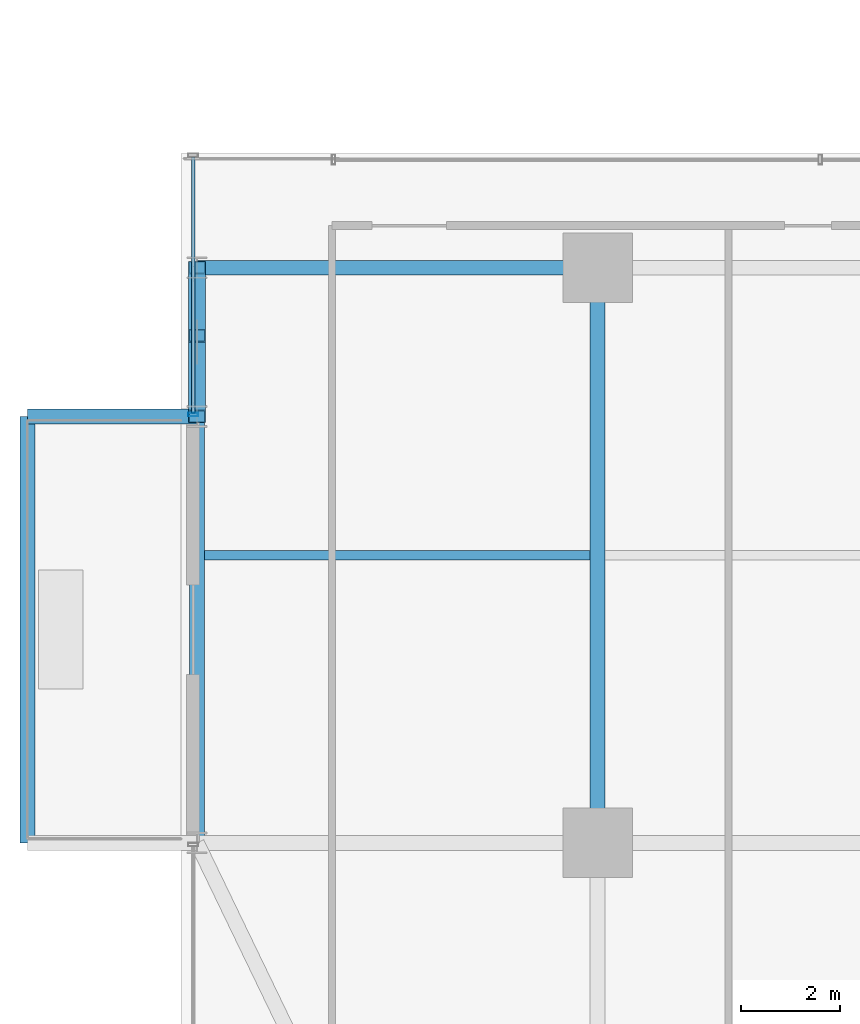
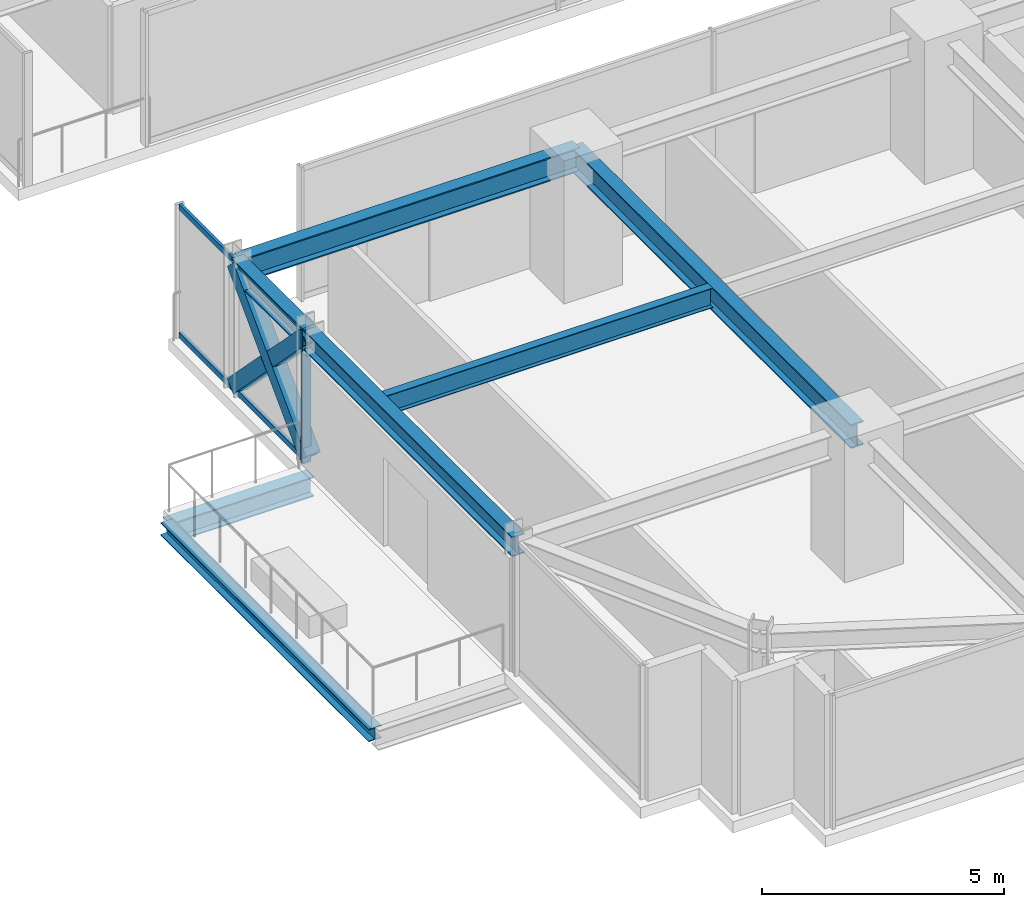
# One storey, part 7 of 37: 7 beams, 6 members, 1 element without a shape of its own.
"""IFC4 building model written with IfcOpenShell, lengths in metres."""

from ifc_helpers import new_model, si_unit, direction, frame, origin, origin_2d, place, context, subcontext, project, spatial, hollow_rectangle, i_section, extrude, source, transform, mapped, material, material_profile, profile_set, type_object, element, aggregate, save


model = new_model("IFC4")

# Units and contexts
model_context = context("Model", 3, precision=1e-05, world=origin(), true_north=direction((0.0, 1.0)))
body_context = subcontext(model_context, "Body", "Model", "MODEL_VIEW")
ifc_project = project(units=[si_unit("LENGTHUNIT", "METRE"), si_unit("AREAUNIT", "SQUARE_METRE"), si_unit("VOLUMEUNIT", "CUBIC_METRE"), si_unit("PLANEANGLEUNIT", "RADIAN"), si_unit("MASSUNIT", "GRAM", prefix="KILO")], contexts=[model_context])

# Site, building, storey
site_placement = place(None, origin())
site = spatial("IfcSite", under=ifc_project, at=site_placement, CompositionType="ELEMENT")
building_placement = place(site_placement, origin())
building = spatial("IfcBuilding", under=site, at=building_placement, Name="Nahalor Promenade Grand Hotel", CompositionType="ELEMENT")
storey_placement = place(building_placement, frame((0.0, 0.0, 65.25)))
storey = spatial("IfcBuildingStorey", under=building, at=storey_placement, Name="L15", CompositionType="ELEMENT", Elevation=65.25)

# Beams
ifc_material_1 = material(Name="Steel S355JR", Category="steel")
ifc_material_profile_1 = material_profile(ifc_material_1, i_section(OverallWidth=0.3, OverallDepth=0.32, WebThickness=0.0115, FlangeThickness=0.0205, at=origin_2d()), Name="HEB 320")
ifc_profile_set_1 = profile_set([ifc_material_profile_1], Name="Steel S355JR")
beam_type_1 = type_object("IfcBeamType", Name="Beam-BalcEdge-HEB320", PredefinedType="SPANDREL", material=ifc_profile_set_1)
shared_shape_1 = source(origin(), body_context, "Body", "SweptSolid", [
    extrude(i_section(OverallWidth=0.3, OverallDepth=0.32, WebThickness=0.0115, FlangeThickness=0.0205, at=origin_2d()), origin(), (0.0, 0.0, 1.0), 8.60009765625),
])
beam_1_placement = place(storey_placement, frame((-28.5, -17.0, -0.43994140625), z_axis=(0.0, 1.0, 0.0), x_axis=(-1.0, 0.0, 0.0)))
element("IfcBeam", 1, at=beam_1_placement, inside=storey, type_object=beam_type_1, Name="BM-L15-BC-02-F", PredefinedType="SPANDREL", context=body_context, shape_type="MappedRepresentation", body=[
    mapped(shared_shape_1, transform((0.0, 0.0, 0.0), scale=1.0)),
])
ifc_material_profile_2 = material_profile(ifc_material_1, i_section(OverallWidth=0.3, OverallDepth=0.5, WebThickness=0.0145, FlangeThickness=0.028, at=origin_2d()), Name="HEB 500")
ifc_profile_set_2 = profile_set([ifc_material_profile_2], Name="Steel S355JR")
beam_type_2 = type_object("IfcBeamType", Name="Beam-Outrigger-HEB500", PredefinedType="BEAM", material=ifc_profile_set_2)
shared_shape_2 = source(origin(), body_context, "Body", "SweptSolid", [
    extrude(i_section(OverallWidth=0.3, OverallDepth=0.5, WebThickness=0.0145, FlangeThickness=0.028, at=origin_2d()), origin(), (0.0, 0.0, 1.0), 3.419921875),
])
beam_2_placement = place(storey_placement, frame((-28.5, -8.39990234375, -0.530029296875), z_axis=(1.0, 0.0, 0.0), x_axis=(0.0, 1.0, 0.0)))
element("IfcBeam", 2, at=beam_2_placement, inside=storey, type_object=beam_type_2, Name="BM-L15-BC-02-2", PredefinedType="BEAM", context=body_context, shape_type="MappedRepresentation", body=[
    mapped(shared_shape_2, transform((0.0, 0.0, 0.0), scale=1.0)),
])
ifc_material_profile_3 = material_profile(ifc_material_1, i_section(OverallWidth=0.3, OverallDepth=0.6, WebThickness=0.0155, FlangeThickness=0.03, at=origin_2d()), Name="HEB 600")
ifc_profile_set_3 = profile_set([ifc_material_profile_3], Name="Steel S355JR")
beam_type_3 = type_object("IfcBeamType", Name="Beam-Girder-HEB600", PredefinedType="BEAM", material=ifc_profile_set_3)
shared_shape_3 = source(origin(), body_context, "Body", "SweptSolid", [
    extrude(i_section(OverallWidth=0.3, OverallDepth=0.6, WebThickness=0.0155, FlangeThickness=0.03, at=origin_2d()), origin(), (0.0, 0.0, 1.0), 11.60009765625),
])
beam_3_placement = place(storey_placement, frame((-17.0, -17.0, 3.070068359375), z_axis=(0.0, 1.0, 0.0), x_axis=(-1.0, 0.0, 0.0)))
element("IfcBeam", 3, at=beam_3_placement, inside=storey, type_object=beam_type_3, Name="BM-L15-GY-0-1", PredefinedType="BEAM", context=body_context, shape_type="MappedRepresentation", body=[
    mapped(shared_shape_3, transform((0.0, 0.0, 0.0), scale=1.0)),
])
ifc_material_profile_4 = material_profile(ifc_material_1, i_section(OverallWidth=0.3, OverallDepth=0.5, WebThickness=0.0145, FlangeThickness=0.028, at=origin_2d()), Name="HEB 500")
ifc_profile_set_4 = profile_set([ifc_material_profile_4], Name="Steel S355JR")
beam_type_4 = type_object("IfcBeamType", Name="Beam-Spandrel-HEB500", PredefinedType="SPANDREL", material=ifc_profile_set_4)
shared_shape_4 = source(origin(), body_context, "Body", "SweptSolid", [
    extrude(i_section(OverallWidth=0.3, OverallDepth=0.5, WebThickness=0.0145, FlangeThickness=0.028, at=origin_2d()), origin(), (0.0, 0.0, 1.0), 8.60009765625),
])
beam_4_placement = place(storey_placement, frame((-25.080078125, -17.0, 3.1201171875), z_axis=(0.0, 1.0, 0.0), x_axis=(-1.0, 0.0, 0.0)))
element("IfcBeam", 4, at=beam_4_placement, inside=storey, type_object=beam_type_4, Name="BM-L15-SP-W-0", PredefinedType="SPANDREL", context=body_context, shape_type="MappedRepresentation", body=[
    mapped(shared_shape_4, transform((0.0, 0.0, 0.0), scale=1.0)),
])
shared_shape_5 = source(origin(), body_context, "Body", "SweptSolid", [
    extrude(i_section(OverallWidth=0.3, OverallDepth=0.5, WebThickness=0.0145, FlangeThickness=0.028, at=origin_2d()), origin(), (0.0, 0.0, 1.0), 3.0),
])
beam_5_placement = place(storey_placement, frame((-25.080078125, -8.39990234375, 3.1201171875), z_axis=(0.0, 1.0, 0.0), x_axis=(-1.0, 0.0, 0.0)))
element("IfcBeam", 5, at=beam_5_placement, inside=storey, type_object=beam_type_4, Name="BM-L15-SP-W-1", PredefinedType="SPANDREL", context=body_context, shape_type="MappedRepresentation", body=[
    mapped(shared_shape_5, transform((0.0, 0.0, 0.0), scale=1.0)),
])
shared_shape_6 = source(origin(), body_context, "Body", "SweptSolid", [
    extrude(i_section(OverallWidth=0.3, OverallDepth=0.6, WebThickness=0.0155, FlangeThickness=0.03, at=origin_2d()), origin(), (0.0, 0.0, 1.0), 8.080078125),
])
beam_6_placement = place(storey_placement, frame((-25.080078125, -5.39990234375, 3.070068359375), z_axis=(1.0, 0.0, 0.0), x_axis=(0.0, 1.0, 0.0)))
element("IfcBeam", 6, at=beam_6_placement, inside=storey, type_object=beam_type_3, Name="BM-L15-GX-1-0", PredefinedType="BEAM", context=body_context, shape_type="MappedRepresentation", body=[
    mapped(shared_shape_6, transform((0.0, 0.0, 0.0), scale=1.0)),
])
ifc_material_profile_5 = material_profile(ifc_material_1, i_section(OverallWidth=0.2, OverallDepth=0.5, WebThickness=0.0102, FlangeThickness=0.016, at=origin_2d()), Name="IPE 500")
ifc_profile_set_5 = profile_set([ifc_material_profile_5], Name="Steel S355JR")
beam_type_5 = type_object("IfcBeamType", Name="Beam-Joist-IPE500", PredefinedType="JOIST", material=ifc_profile_set_5)
shared_shape_7 = source(origin(), body_context, "Body", "SweptSolid", [
    extrude(i_section(OverallWidth=0.2, OverallDepth=0.5, WebThickness=0.0102, FlangeThickness=0.016, at=origin_2d()), origin(), (0.0, 0.0, 1.0), 7.780029296875),
])
beam_7_placement = place(storey_placement, frame((-24.929931640625, -11.199951171875, 3.1201171875), z_axis=(1.0, 0.0, 0.0), x_axis=(0.0, 1.0, 0.0)))
element("IfcBeam", 7, at=beam_7_placement, inside=storey, type_object=beam_type_5, Name="BM-L15-JSW-0-0", PredefinedType="JOIST", context=body_context, shape_type="MappedRepresentation", body=[
    mapped(shared_shape_7, transform((0.0, 0.0, 0.0), scale=1.0)),
])

# Members
ifc_material_profile_6 = material_profile(ifc_material_1, hollow_rectangle(XDim=0.35, YDim=0.35, WallThickness=0.02, at=origin_2d()), Name="SHS 350x350x20")
ifc_profile_set_6 = profile_set([ifc_material_profile_6], Name="Steel S355JR")
member_type_1 = type_object("IfcMemberType", Name="Mem-VoidBrace-SHS350", PredefinedType="BRACE", material=ifc_profile_set_6)
shared_shape_8 = source(origin(), body_context, "Body", "SweptSolid", [
    extrude(hollow_rectangle(XDim=0.35, YDim=0.35, WallThickness=0.02, at=origin_2d()), origin(), (0.0, 0.0, 1.0), 4.29248046875),
])
member_1_placement = place(storey_placement, frame((-25.080078125, -8.39990234375, 0.14990234375), z_axis=(0.0, 0.698897904453, 0.715221447631), x_axis=(-1.0, 0.0, 0.0)))
element("IfcMember", 8, at=member_1_placement, inside=storey, type_object=member_type_1, Name="EXO-L15-VX1-W0", PredefinedType="BRACE", context=body_context, shape_type="MappedRepresentation", body=[
    mapped(shared_shape_8, transform((0.0, 0.0, 0.0), scale=1.0)),
])
shared_shape_9 = source(origin(), body_context, "Body", "SweptSolid", [
    extrude(hollow_rectangle(XDim=0.35, YDim=0.35, WallThickness=0.02, at=origin_2d()), origin(), (0.0, 0.0, 1.0), 1.959228515625),
])
member_2_placement = place(storey_placement, frame((-25.080078125, -5.39990234375, 0.14990234375), z_axis=(0.0, -0.698898183234, 0.715221175212), x_axis=(1.0, 0.0, 0.0)))
element("IfcMember", 9, at=member_2_placement, inside=storey, type_object=member_type_1, Name="EXO-L15-VX2-W0A", PredefinedType="BRACE", context=body_context, shape_type="MappedRepresentation", body=[
    mapped(shared_shape_9, transform((0.0, 0.0, 0.0), scale=1.0)),
])
shared_shape_10 = source(origin(), body_context, "Body", "SweptSolid", [
    extrude(hollow_rectangle(XDim=0.35, YDim=0.35, WallThickness=0.02, at=origin_2d()), origin(), (0.0, 0.0, 1.0), 1.958984375),
])
member_3_placement = place(storey_placement, frame((-25.080078125, -7.03076171875, 1.81884765625), z_axis=(0.0, -0.698896728293, 0.715222596946), x_axis=(1.0, 0.0, 0.0)))
element("IfcMember", 10, at=member_3_placement, inside=storey, type_object=member_type_1, Name="EXO-L15-VX2-W0B", PredefinedType="BRACE", context=body_context, shape_type="MappedRepresentation", body=[
    mapped(shared_shape_10, transform((0.0, 0.0, 0.0), scale=1.0)),
])

# Curtain wall, members
ifc_material_2 = material(Name="Anodised Bronze Aluminium EN AW-6063 T6", Category="aluminium")
curtain_wall_type = type_object("IfcCurtainWallType", Name="CW3 Elliptical-Void Collar Unitised Curtain Wall", PredefinedType="USERDEFINED", material=ifc_material_2)
curtain_wall_placement = place(storey_placement, origin())
curtain_wall = element("IfcCurtainWall", 11, at=curtain_wall_placement, inside=storey, type_object=curtain_wall_type, Name="L15 Curtain Wall CW-L15-W-3", ObjectType="UNITISED_CURTAIN_WALL", PredefinedType="USERDEFINED")
ifc_material_profile_7 = material_profile(ifc_material_2, hollow_rectangle(XDim=0.07, YDim=0.2, WallThickness=0.005, at=origin_2d()), Name="CWM 70x200x5")
ifc_profile_set_7 = profile_set([ifc_material_profile_7], Name="Anodised Bronze Aluminium EN AW-6063 T6")
member_type_2 = type_object("IfcMemberType", Name="CWM3 Void Collar Mullion 70x200", PredefinedType="MULLION", material=ifc_profile_set_7)
shared_shape_11 = source(origin(), body_context, "Body", "SweptSolid", [
    extrude(hollow_rectangle(XDim=0.07, YDim=0.2, WallThickness=0.005, at=origin_2d()), origin(), (0.0, 0.0, 1.0), 3.3701171875),
])
member_4_placement = place(storey_placement, frame((-25.159912109375, -8.364990234375, 0.0), z_axis=(0.0, 0.0, 1.0), x_axis=(0.0, 1.0, 0.0)))
member_4 = element("IfcMember", 12, at=member_4_placement, type_object=member_type_2, Name="CW-L15-W-3 Mullion 0", PredefinedType="MULLION", context=body_context, shape_type="MappedRepresentation", body=[
    mapped(shared_shape_11, transform((0.0, 0.0, 0.0), scale=1.0)),
])
ifc_material_profile_8 = material_profile(ifc_material_2, hollow_rectangle(XDim=0.07, YDim=0.14, WallThickness=0.004, at=origin_2d()), Name="CWT 70x140x4")
ifc_profile_set_8 = profile_set([ifc_material_profile_8], Name="Anodised Bronze Aluminium EN AW-6063 T6")
member_type_3 = type_object("IfcMemberType", Name="CWT3 Void Collar Transom 70x140", PredefinedType="USERDEFINED", material=ifc_profile_set_8)
shared_shape_12 = source(origin(), body_context, "Body", "SweptSolid", [
    extrude(hollow_rectangle(XDim=0.07, YDim=0.14, WallThickness=0.004, at=origin_2d()), origin(), (0.0, 0.0, 1.0), 5.16015625),
])
member_5_placement = place(storey_placement, frame((-25.159912109375, -8.330078125, 0.070068359375), z_axis=(0.0, 1.0, 0.0), x_axis=(-1.0, 0.0, 0.0)))
member_5 = element("IfcMember", 13, at=member_5_placement, type_object=member_type_3, Name="CW-L15-W-3 Transom 0-0", ObjectType="TRANSOM", PredefinedType="USERDEFINED", context=body_context, shape_type="MappedRepresentation", body=[
    mapped(shared_shape_12, transform((0.0, 0.0, 0.0), scale=1.0)),
])
member_6_placement = place(storey_placement, frame((-25.159912109375, -8.330078125, 3.300048828125), z_axis=(0.0, 1.0, 0.0), x_axis=(-1.0, 0.0, 0.0)))
member_6 = element("IfcMember", 14, at=member_6_placement, type_object=member_type_3, Name="CW-L15-W-3 Transom 0-1", ObjectType="TRANSOM", PredefinedType="USERDEFINED", context=body_context, shape_type="MappedRepresentation", body=[
    mapped(shared_shape_12, transform((0.0, 0.0, 0.0), scale=1.0)),
])
aggregate(curtain_wall, [member_4, member_5, member_6])

save(model, "model.ifc")
